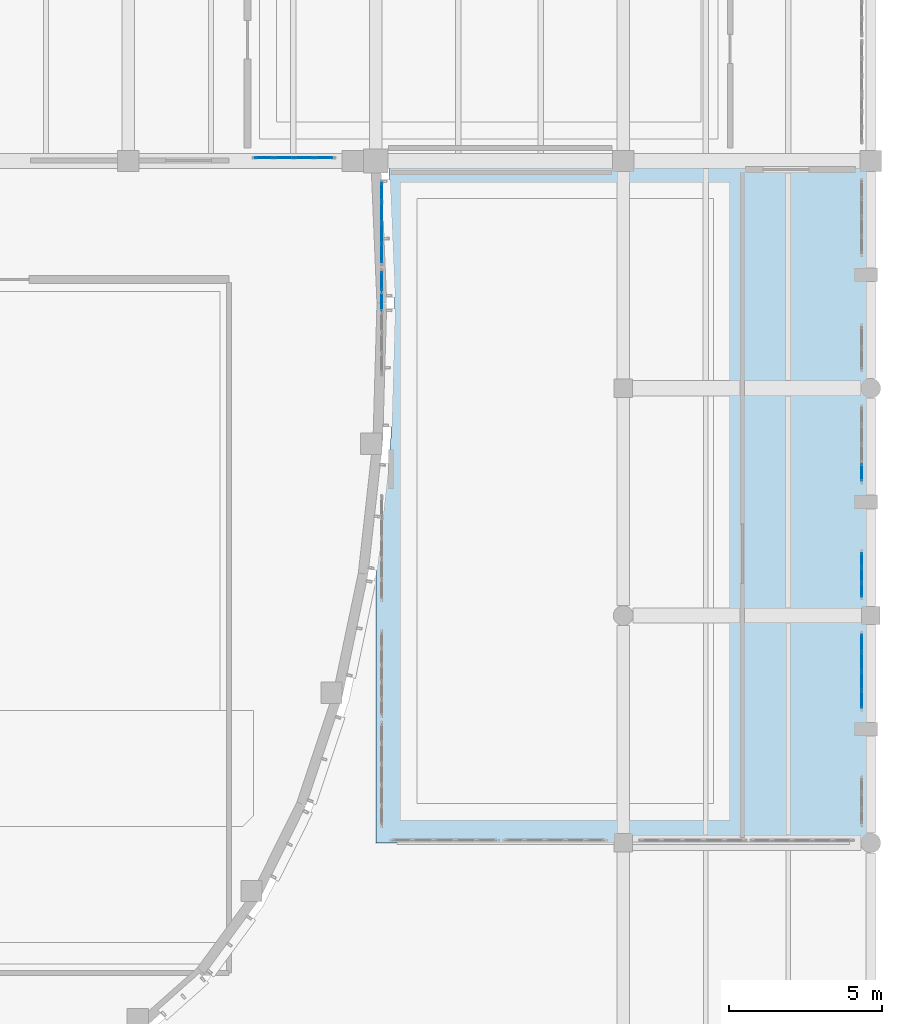
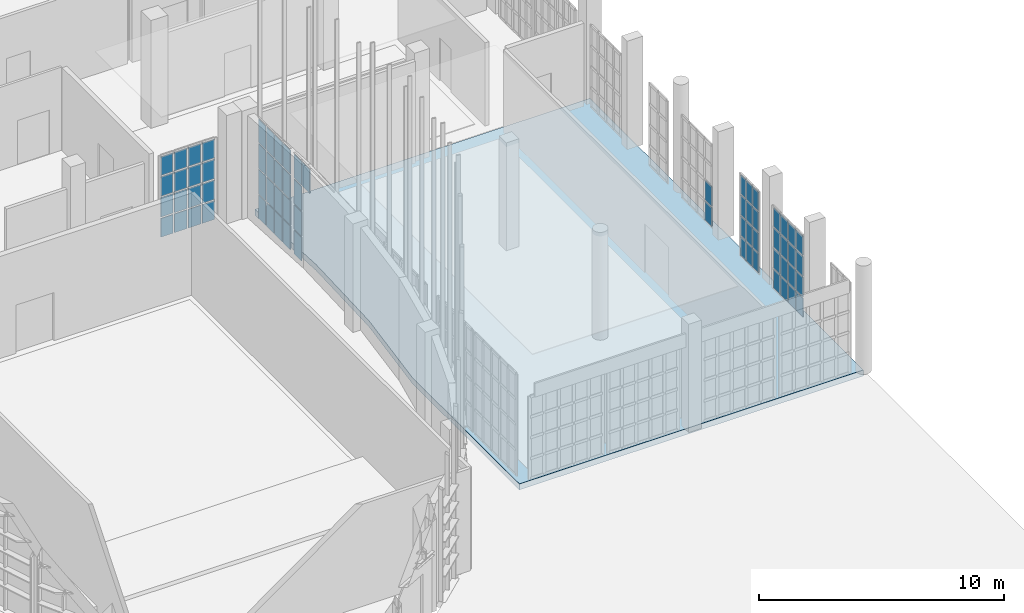
# One storey, part 342 of 372: 67 plates, 1 slab, 6 elements without a shape of their own.
"""IFC4 building model written with IfcOpenShell, lengths in metres."""

import ifcopenshell
import ifcopenshell.guid

model = None  # the IFC model being written
_history = None  # IfcOwnerHistory: only IFC2X3 demands one
_inside = {}  # id of a spatial element -> (the spatial element, [elements in it])
_under = {}  # id of a project, library or spatial element -> (it, [spatial elements below it])
_declared = {}  # id of a project -> (the project, [libraries it declares])
_typed = {}  # id of a type object -> (the type object, [elements of that type])
_made_of = {}  # id of a material, layer set ... -> (it, [elements and type objects made of it])


def new_model(schema):
    """Start an empty IFC model of exactly this schema.

    Asked for "IFC4X3", IfcOpenShell would pick the latest addendum, in which some entities
    have other attributes; the version numbers below select the first issue.
    IFC2X3 requires an IfcOwnerHistory on every rooted entity: one is made here for all.
    """
    global model, _history
    if schema == "IFC4X3":
        model = ifcopenshell.file(schema_version=(4, 3, 0, 0))
    else:
        model = ifcopenshell.file(schema=schema)
    _inside.clear()
    _under.clear()
    _declared.clear()
    _typed.clear()
    _made_of.clear()
    _history = None
    if model.schema == "IFC2X3":
        org = make("IfcOrganization", Name="unknown")
        user = make(
            "IfcPersonAndOrganization",
            ThePerson=make("IfcPerson", FamilyName="unknown"),
            TheOrganization=org,
        )
        app = make(
            "IfcApplication",
            ApplicationDeveloper=org,
            Version="unknown",
            ApplicationFullName="unknown",
            ApplicationIdentifier="unknown",
        )
        _history = make(
            "IfcOwnerHistory",
            OwningUser=user,
            OwningApplication=app,
            ChangeAction="ADDED",
            CreationDate=0,
        )
    return model


def make(cls, **values):
    """One entity of the class cls with the attributes given. An attribute that is None is left unset."""
    return model.create_entity(
        cls, **{name: value for name, value in values.items() if value is not None}
    )


def rooted(cls, **values):
    """An entity with a GlobalId (a new one), such as an element, a storey or a relation."""
    return make(cls, GlobalId=ifcopenshell.guid.new(), OwnerHistory=_history, **values)


def si_unit(unit_type, name, prefix=None):
    """IfcSIUnit, for example si_unit("LENGTHUNIT", "METRE", prefix="MILLI")."""
    return make("IfcSIUnit", UnitType=unit_type, Prefix=prefix, Name=name)


def assignment(units):
    """IfcUnitAssignment: the units of a project."""
    return None if units is None else make("IfcUnitAssignment", Units=units)


def point(xyz):
    """IfcCartesianPoint."""
    return None if xyz is None else make("IfcCartesianPoint", Coordinates=xyz)


def direction(xyz):
    """IfcDirection."""
    return None if xyz is None else make("IfcDirection", DirectionRatios=xyz)


def frame(location, z_axis=None, x_axis=None):
    """IfcAxis2Placement3D, a coordinate frame: its origin and axes. An axis left out is left unset."""
    return make(
        "IfcAxis2Placement3D",
        Location=point(location),
        Axis=direction(z_axis),
        RefDirection=direction(x_axis),
    )


def frame_2d(location, x_axis=None):
    """IfcAxis2Placement2D, a coordinate frame in the plane: its origin and x axis."""
    return make(
        "IfcAxis2Placement2D", Location=point(location), RefDirection=direction(x_axis)
    )


def origin():
    """The frame at (0, 0, 0) with its axes left unset."""
    return frame((0.0, 0.0, 0.0))


def origin_2d():
    """The frame at (0, 0) in the plane with its x axis left unset."""
    return frame_2d((0.0, 0.0))


def place(relative_to, where):
    """IfcLocalPlacement: puts the frame where relative to a parent placement (None: the world)."""
    return make(
        "IfcLocalPlacement", PlacementRelTo=relative_to, RelativePlacement=where
    )


def context(
    kind, dimensions, precision=None, world=None, true_north=None, identifier=None
):
    """IfcGeometricRepresentationContext, for example the 3D "Model" context."""
    return make(
        "IfcGeometricRepresentationContext",
        ContextIdentifier=identifier,
        ContextType=kind,
        CoordinateSpaceDimension=dimensions,
        Precision=precision,
        WorldCoordinateSystem=world,
        TrueNorth=true_north,
    )


def subcontext(parent, identifier, kind, view, scale=None):
    """IfcGeometricRepresentationSubContext, for example "Body" below "Model"."""
    return make(
        "IfcGeometricRepresentationSubContext",
        ContextIdentifier=identifier,
        ContextType=kind,
        ParentContext=parent,
        TargetScale=scale,
        TargetView=view,
    )


def project(units=None, contexts=None):
    """IfcProject with its units and contexts."""
    return rooted(
        "IfcProject",
        Name="project",
        RepresentationContexts=contexts,
        UnitsInContext=assignment(units),
    )


def spatial(cls, under=None, at=None, **own):
    """A site, building, storey or space (cls), placed at a placement, below another one or the project."""
    s = rooted(cls, ObjectPlacement=at, **own)
    if under is not None:
        _under.setdefault(under.id(), (under, []))[1].append(s)
    return s


def polyline(points):
    """IfcPolyline through the points."""
    return make("IfcPolyline", Points=[point(p) for p in points])


def profile(cls, at=None, kind="AREA", **sizes):
    """A parametric profile (cls). Its sizes go by their IFC names, for example OverallWidth=200.0."""
    return make(cls, ProfileType=kind, Position=at, **sizes)


def rectangle(**sizes):
    """IfcRectangleProfileDef."""
    return profile("IfcRectangleProfileDef", **sizes)


def outline(outer, holes=None, kind="AREA"):
    """IfcArbitraryClosedProfileDef: a profile drawn as a closed curve; with holes, ...WithVoids."""
    if holes is None:
        return make("IfcArbitraryClosedProfileDef", ProfileType=kind, OuterCurve=outer)
    return make(
        "IfcArbitraryProfileDefWithVoids",
        ProfileType=kind,
        OuterCurve=outer,
        InnerCurves=holes,
    )


def extrude(swept, where, along, depth):
    """IfcExtrudedAreaSolid: the profile swept, set in the frame where, extruded along a direction by depth."""
    return make(
        "IfcExtrudedAreaSolid",
        SweptArea=swept,
        Position=where,
        ExtrudedDirection=direction(along),
        Depth=depth,
    )


def shape(context_of_items, identifier, shape_type, items):
    """IfcShapeRepresentation: the items that make up one representation, for example the "Body"."""
    return make(
        "IfcShapeRepresentation",
        ContextOfItems=context_of_items,
        RepresentationIdentifier=identifier,
        RepresentationType=shape_type,
        Items=items,
    )


def material(Name=None, Category=None):
    """IfcMaterial."""
    return make("IfcMaterial", Name=Name, Category=Category)


def layer(
    of_material, thickness, ventilated=None, Name=None, Category=None, Priority=None
):
    """IfcMaterialLayer: one layer of a wall or slab, of a material (None: an air gap)."""
    return make(
        "IfcMaterialLayer",
        Material=of_material,
        LayerThickness=thickness,
        IsVentilated=ventilated,
        Name=Name,
        Category=Category,
        Priority=Priority,
    )


def layer_set(layers, Name=None):
    """IfcMaterialLayerSet."""
    return make("IfcMaterialLayerSet", MaterialLayers=layers, LayerSetName=Name)


def made_of(thing, what):
    """Note that an element or type object is made of a material, layer set ...; save() writes the relation."""
    if what is not None:
        _made_of.setdefault(what.id(), (what, []))[1].append(thing)
    return thing


def type_object(cls, material=None, **own):
    """A type object (cls), such as IfcWallType, which elements share."""
    return made_of(rooted(cls, **own), material)


def element(
    cls,
    number,
    at=None,
    inside=None,
    cuts=None,
    type_object=None,
    material=None,
    context=None,
    identifier="Body",
    shape_type=None,
    held_by="IfcProductDefinitionShape",
    body=None,
    shapes=None,
    **own,
):
    """One element of the class cls, such as IfcWall. Its Tag is "e" and its number.

    at: its placement. inside: the storey or other place that contains it. cuts: it is an
    opening in that element (IfcRelVoidsElement). A single representation is given by context,
    identifier, shape_type and body (its items); several are given by shapes. held_by: the class
    of the entity that holds the representations. save() writes the other relations.
    """
    e = rooted(cls, Tag="e%d" % number, ObjectPlacement=at, **own)
    if body is not None:
        shapes = [shape(context, identifier, shape_type, body)]
    if shapes is not None:
        e.Representation = make(held_by, Representations=shapes)
    if inside is not None:
        _inside.setdefault(inside.id(), (inside, []))[1].append(e)
    if cuts is not None:
        rooted(
            "IfcRelVoidsElement", RelatingBuildingElement=cuts, RelatedOpeningElement=e
        )
    if type_object is not None:
        _typed.setdefault(type_object.id(), (type_object, []))[1].append(e)
    return made_of(e, material)


def aggregate(whole, parts):
    """IfcRelAggregates: a whole, such as a stair, and the parts it consists of."""
    return rooted("IfcRelAggregates", RelatingObject=whole, RelatedObjects=parts)


def save(model, path):
    """Write the relations noted so far, then the file.

    IfcRelAggregates (storeys below a building ...), IfcRelContainedInSpatialStructure (elements
    in a storey), IfcRelDefinesByType, IfcRelAssociatesMaterial and IfcRelDeclares: one each for
    every whole, place, type object, material and project.
    """
    for whole, parts in _under.values():
        aggregate(whole, parts)
    for where, things in _inside.values():
        rooted(
            "IfcRelContainedInSpatialStructure",
            RelatedElements=things,
            RelatingStructure=where,
        )
    for kind, things in _typed.values():
        rooted("IfcRelDefinesByType", RelatedObjects=things, RelatingType=kind)
    for what, things in _made_of.values():
        rooted("IfcRelAssociatesMaterial", RelatedObjects=things, RelatingMaterial=what)
    for by, libraries in _declared.values():
        rooted("IfcRelDeclares", RelatingContext=by, RelatedDefinitions=libraries)
    model.write(path)


model = new_model("IFC4")

# Units and contexts
model_context = context("Model", 3, precision=1e-05, world=origin(), true_north=direction((0.0, 1.0)))
body_context = subcontext(model_context, "Body", "Model", "MODEL_VIEW")
ifc_project = project(units=[si_unit("LENGTHUNIT", "METRE"), si_unit("AREAUNIT", "SQUARE_METRE"), si_unit("VOLUMEUNIT", "CUBIC_METRE"), si_unit("PLANEANGLEUNIT", "RADIAN"), si_unit("MASSUNIT", "GRAM", prefix="KILO")], contexts=[model_context])

# Site, building, storey
site_placement = place(None, origin())
site = spatial("IfcSite", under=ifc_project, at=site_placement, CompositionType="ELEMENT")
building_placement = place(site_placement, origin())
building = spatial("IfcBuilding", under=site, at=building_placement, Name="Kaelora Sail Theatre", CompositionType="ELEMENT")
storey_placement = place(building_placement, origin())
storey = spatial("IfcBuildingStorey", under=building, at=storey_placement, Name="L00", CompositionType="ELEMENT", Elevation=0.0)

# Curtain wall, plates
ifc_material_1 = material(Name="Anodised aluminium and solar-control low-E IGU", Category="aluminium")
curtain_wall_type_1 = type_object("IfcCurtainWallType", Name="ARC-CW-CW-FOY2", PredefinedType="NOTDEFINED", material=ifc_material_1)
curtain_wall_1_placement = place(storey_placement, origin())
curtain_wall_1 = element("IfcCurtainWall", 1, at=curtain_wall_1_placement, inside=storey, type_object=curtain_wall_type_1, Name="Glazed Foyer/Conservatory Curtain Wall FE1-S-L00-01", PredefinedType="NOTDEFINED")
ifc_material_2 = material(Name="Solar-control laminated low-E glass", Category="glass")
ifc_layer_1 = layer(ifc_material_2, 0.031982421875)
ifc_layer_set_1 = layer_set([ifc_layer_1], Name="Solar-control laminated low-E glass")
plate_type = type_object("IfcPlateType", Name="ARC-CW-PNL", PredefinedType="CURTAIN_PANEL", material=ifc_layer_set_1)
plate_1_placement = place(storey_placement, frame((143.64501953125, 53.68994140625, 0.070068359375), z_axis=(0.0, 0.0, 1.0), x_axis=(1.0, 0.0, 0.0)))
plate_1 = element("IfcPlate", 2, at=plate_1_placement, type_object=plate_type, Name="CW-FOY2 panel 1.1", PredefinedType="CURTAIN_PANEL", context=body_context, shape_type="SweptSolid", body=[
    extrude(rectangle(XDim=0.570068359375, YDim=0.031982421875, at=origin_2d()), origin(), (0.0, 0.0, 1.0), 0.92919921875),
])
plate_2_placement = place(storey_placement, frame((143.64501953125, 53.68994140625, 1.069091796875), z_axis=(0.0, 0.0, 1.0), x_axis=(1.0, 0.0, 0.0)))
plate_2 = element("IfcPlate", 3, at=plate_2_placement, type_object=plate_type, Name="CW-FOY2 panel 1.2", PredefinedType="CURTAIN_PANEL", context=body_context, shape_type="SweptSolid", body=[
    extrude(rectangle(XDim=0.570068359375, YDim=0.031982421875, at=origin_2d()), origin(), (0.0, 0.0, 1.0), 0.96435546875),
])
plate_3_placement = place(storey_placement, frame((143.64501953125, 53.68994140625, 2.103515625), z_axis=(0.0, 0.0, 1.0), x_axis=(1.0, 0.0, 0.0)))
plate_3 = element("IfcPlate", 4, at=plate_3_placement, type_object=plate_type, Name="CW-FOY2 panel 1.3", PredefinedType="CURTAIN_PANEL", context=body_context, shape_type="SweptSolid", body=[
    extrude(rectangle(XDim=0.570068359375, YDim=0.031982421875, at=origin_2d()), origin(), (0.0, 0.0, 1.0), 0.964111328125),
])
plate_4_placement = place(storey_placement, frame((143.64501953125, 53.68994140625, 3.1376953125), z_axis=(0.0, 0.0, 1.0), x_axis=(1.0, 0.0, 0.0)))
plate_4 = element("IfcPlate", 5, at=plate_4_placement, type_object=plate_type, Name="CW-FOY2 panel 1.4", PredefinedType="CURTAIN_PANEL", context=body_context, shape_type="SweptSolid", body=[
    extrude(rectangle(XDim=0.570068359375, YDim=0.031982421875, at=origin_2d()), origin(), (0.0, 0.0, 1.0), 0.92919921875),
])
plate_5_placement = place(storey_placement, frame((144.2900390625, 53.68994140625, 0.070068359375), z_axis=(0.0, 0.0, 1.0), x_axis=(1.0, 0.0, 0.0)))
plate_5 = element("IfcPlate", 6, at=plate_5_placement, type_object=plate_type, Name="CW-FOY2 panel 2.1", PredefinedType="CURTAIN_PANEL", context=body_context, shape_type="SweptSolid", body=[
    extrude(rectangle(XDim=0.60009765625, YDim=0.031982421875, at=origin_2d()), origin(), (0.0, 0.0, 1.0), 0.92919921875),
])
plate_6_placement = place(storey_placement, frame((144.2900390625, 53.68994140625, 1.069091796875), z_axis=(0.0, 0.0, 1.0), x_axis=(1.0, 0.0, 0.0)))
plate_6 = element("IfcPlate", 7, at=plate_6_placement, type_object=plate_type, Name="CW-FOY2 panel 2.2", PredefinedType="CURTAIN_PANEL", context=body_context, shape_type="SweptSolid", body=[
    extrude(rectangle(XDim=0.60009765625, YDim=0.031982421875, at=origin_2d()), origin(), (0.0, 0.0, 1.0), 0.96435546875),
])
plate_7_placement = place(storey_placement, frame((144.2900390625, 53.68994140625, 2.103515625), z_axis=(0.0, 0.0, 1.0), x_axis=(1.0, 0.0, 0.0)))
plate_7 = element("IfcPlate", 8, at=plate_7_placement, type_object=plate_type, Name="CW-FOY2 panel 2.3", PredefinedType="CURTAIN_PANEL", context=body_context, shape_type="SweptSolid", body=[
    extrude(rectangle(XDim=0.60009765625, YDim=0.031982421875, at=origin_2d()), origin(), (0.0, 0.0, 1.0), 0.964111328125),
])
plate_8_placement = place(storey_placement, frame((144.2900390625, 53.68994140625, 3.1376953125), z_axis=(0.0, 0.0, 1.0), x_axis=(1.0, 0.0, 0.0)))
plate_8 = element("IfcPlate", 9, at=plate_8_placement, type_object=plate_type, Name="CW-FOY2 panel 2.4", PredefinedType="CURTAIN_PANEL", context=body_context, shape_type="SweptSolid", body=[
    extrude(rectangle(XDim=0.60009765625, YDim=0.031982421875, at=origin_2d()), origin(), (0.0, 0.0, 1.0), 0.92919921875),
])
plate_9_placement = place(storey_placement, frame((144.949951171875, 53.68994140625, 0.070068359375), z_axis=(0.0, 0.0, 1.0), x_axis=(1.0, 0.0, 0.0)))
plate_9 = element("IfcPlate", 10, at=plate_9_placement, type_object=plate_type, Name="CW-FOY2 panel 3.1", PredefinedType="CURTAIN_PANEL", context=body_context, shape_type="SweptSolid", body=[
    extrude(rectangle(XDim=0.60009765625, YDim=0.031982421875, at=origin_2d()), origin(), (0.0, 0.0, 1.0), 0.92919921875),
])
plate_10_placement = place(storey_placement, frame((144.949951171875, 53.68994140625, 1.069091796875), z_axis=(0.0, 0.0, 1.0), x_axis=(1.0, 0.0, 0.0)))
plate_10 = element("IfcPlate", 11, at=plate_10_placement, type_object=plate_type, Name="CW-FOY2 panel 3.2", PredefinedType="CURTAIN_PANEL", context=body_context, shape_type="SweptSolid", body=[
    extrude(rectangle(XDim=0.60009765625, YDim=0.031982421875, at=origin_2d()), origin(), (0.0, 0.0, 1.0), 0.96435546875),
])
plate_11_placement = place(storey_placement, frame((144.949951171875, 53.68994140625, 2.103515625), z_axis=(0.0, 0.0, 1.0), x_axis=(1.0, 0.0, 0.0)))
plate_11 = element("IfcPlate", 12, at=plate_11_placement, type_object=plate_type, Name="CW-FOY2 panel 3.3", PredefinedType="CURTAIN_PANEL", context=body_context, shape_type="SweptSolid", body=[
    extrude(rectangle(XDim=0.60009765625, YDim=0.031982421875, at=origin_2d()), origin(), (0.0, 0.0, 1.0), 0.964111328125),
])
plate_12_placement = place(storey_placement, frame((144.949951171875, 53.68994140625, 3.1376953125), z_axis=(0.0, 0.0, 1.0), x_axis=(1.0, 0.0, 0.0)))
plate_12 = element("IfcPlate", 13, at=plate_12_placement, type_object=plate_type, Name="CW-FOY2 panel 3.4", PredefinedType="CURTAIN_PANEL", context=body_context, shape_type="SweptSolid", body=[
    extrude(rectangle(XDim=0.60009765625, YDim=0.031982421875, at=origin_2d()), origin(), (0.0, 0.0, 1.0), 0.92919921875),
])
plate_13_placement = place(storey_placement, frame((145.594970703125, 53.68994140625, 0.070068359375), z_axis=(0.0, 0.0, 1.0), x_axis=(1.0, 0.0, 0.0)))
plate_13 = element("IfcPlate", 14, at=plate_13_placement, type_object=plate_type, Name="CW-FOY2 panel 4.1", PredefinedType="CURTAIN_PANEL", context=body_context, shape_type="SweptSolid", body=[
    extrude(rectangle(XDim=0.570068359375, YDim=0.031982421875, at=origin_2d()), origin(), (0.0, 0.0, 1.0), 0.92919921875),
])
plate_14_placement = place(storey_placement, frame((145.594970703125, 53.68994140625, 1.069091796875), z_axis=(0.0, 0.0, 1.0), x_axis=(1.0, 0.0, 0.0)))
plate_14 = element("IfcPlate", 15, at=plate_14_placement, type_object=plate_type, Name="CW-FOY2 panel 4.2", PredefinedType="CURTAIN_PANEL", context=body_context, shape_type="SweptSolid", body=[
    extrude(rectangle(XDim=0.570068359375, YDim=0.031982421875, at=origin_2d()), origin(), (0.0, 0.0, 1.0), 0.96435546875),
])
plate_15_placement = place(storey_placement, frame((145.594970703125, 53.68994140625, 2.103515625), z_axis=(0.0, 0.0, 1.0), x_axis=(1.0, 0.0, 0.0)))
plate_15 = element("IfcPlate", 16, at=plate_15_placement, type_object=plate_type, Name="CW-FOY2 panel 4.3", PredefinedType="CURTAIN_PANEL", context=body_context, shape_type="SweptSolid", body=[
    extrude(rectangle(XDim=0.570068359375, YDim=0.031982421875, at=origin_2d()), origin(), (0.0, 0.0, 1.0), 0.964111328125),
])
plate_16_placement = place(storey_placement, frame((145.594970703125, 53.68994140625, 3.1376953125), z_axis=(0.0, 0.0, 1.0), x_axis=(1.0, 0.0, 0.0)))
plate_16 = element("IfcPlate", 17, at=plate_16_placement, type_object=plate_type, Name="CW-FOY2 panel 4.4", PredefinedType="CURTAIN_PANEL", context=body_context, shape_type="SweptSolid", body=[
    extrude(rectangle(XDim=0.570068359375, YDim=0.031982421875, at=origin_2d()), origin(), (0.0, 0.0, 1.0), 0.92919921875),
])
aggregate(curtain_wall_1, [plate_1, plate_2, plate_3, plate_4, plate_5, plate_6, plate_7, plate_8, plate_9, plate_10, plate_11, plate_12, plate_13, plate_14, plate_15, plate_16])

curtain_wall_2_placement = place(storey_placement, origin())
curtain_wall_2 = element("IfcCurtainWall", 18, at=curtain_wall_2_placement, inside=storey, type_object=curtain_wall_type_1, Name="Glazed Colonnade/Courtyard Curtain Wall COLE-W-L00-05", PredefinedType="NOTDEFINED")
plate_17_placement = place(storey_placement, frame((147.489990234375, 48.97998046875, 3.8486328125), z_axis=(0.0, 0.0, 1.0), x_axis=(0.0, 1.0, 0.0)))
plate_17 = element("IfcPlate", 19, at=plate_17_placement, type_object=plate_type, Name="CW-FOY2 panel 4.4", PredefinedType="CURTAIN_PANEL", context=body_context, shape_type="SweptSolid", body=[
    extrude(rectangle(XDim=0.6201171875, YDim=0.031982421875, at=origin_2d()), origin(), (0.0, 0.0, 1.0), 1.166259765625),
])
plate_18_placement = place(storey_placement, frame((147.489990234375, 49.64501953125, 0.06982421875), z_axis=(0.0, 0.0, 1.0), x_axis=(0.0, 1.0, 0.0)))
plate_18 = element("IfcPlate", 20, at=plate_18_placement, type_object=plate_type, Name="CW-FOY2 panel 5.1", PredefinedType="CURTAIN_PANEL", context=body_context, shape_type="SweptSolid", body=[
    extrude(rectangle(XDim=0.590087890625, YDim=0.031982421875, at=origin_2d()), origin(), (0.0, 0.0, 1.0), 1.166259765625),
])
plate_19_placement = place(storey_placement, frame((147.489990234375, 49.64501953125, 1.306396484375), z_axis=(0.0, 0.0, 1.0), x_axis=(0.0, 1.0, 0.0)))
plate_19 = element("IfcPlate", 21, at=plate_19_placement, type_object=plate_type, Name="CW-FOY2 panel 5.2", PredefinedType="CURTAIN_PANEL", context=body_context, shape_type="SweptSolid", body=[
    extrude(rectangle(XDim=0.590087890625, YDim=0.031982421875, at=origin_2d()), origin(), (0.0, 0.0, 1.0), 1.201171875),
])
plate_20_placement = place(storey_placement, frame((147.489990234375, 49.64501953125, 2.57763671875), z_axis=(0.0, 0.0, 1.0), x_axis=(0.0, 1.0, 0.0)))
plate_20 = element("IfcPlate", 22, at=plate_20_placement, type_object=plate_type, Name="CW-FOY2 panel 5.3", PredefinedType="CURTAIN_PANEL", context=body_context, shape_type="SweptSolid", body=[
    extrude(rectangle(XDim=0.590087890625, YDim=0.031982421875, at=origin_2d()), origin(), (0.0, 0.0, 1.0), 1.201416015625),
])
plate_21_placement = place(storey_placement, frame((147.489990234375, 49.64501953125, 3.8486328125), z_axis=(0.0, 0.0, 1.0), x_axis=(0.0, 1.0, 0.0)))
plate_21 = element("IfcPlate", 23, at=plate_21_placement, type_object=plate_type, Name="CW-FOY2 panel 5.4", PredefinedType="CURTAIN_PANEL", context=body_context, shape_type="SweptSolid", body=[
    extrude(rectangle(XDim=0.590087890625, YDim=0.031982421875, at=origin_2d()), origin(), (0.0, 0.0, 1.0), 1.166259765625),
])
aggregate(curtain_wall_2, [plate_17, plate_18, plate_19, plate_20, plate_21])

curtain_wall_3_placement = place(storey_placement, origin())
curtain_wall_3 = element("IfcCurtainWall", 24, at=curtain_wall_3_placement, inside=storey, type_object=curtain_wall_type_1, Name="Glazed Colonnade/Courtyard Curtain Wall COLE-W-L00-06", PredefinedType="NOTDEFINED")
plate_22_placement = place(storey_placement, frame((147.489990234375, 50.554931640625, 0.06982421875), z_axis=(0.0, 0.0, 1.0), x_axis=(0.0, 1.0, 0.0)))
plate_22 = element("IfcPlate", 25, at=plate_22_placement, type_object=plate_type, Name="CW-FOY2 panel 1.1", PredefinedType="CURTAIN_PANEL", context=body_context, shape_type="SweptSolid", body=[
    extrude(rectangle(XDim=0.590087890625, YDim=0.031982421875, at=origin_2d()), origin(), (0.0, 0.0, 1.0), 1.166259765625),
])
plate_23_placement = place(storey_placement, frame((147.489990234375, 50.554931640625, 1.306396484375), z_axis=(0.0, 0.0, 1.0), x_axis=(0.0, 1.0, 0.0)))
plate_23 = element("IfcPlate", 26, at=plate_23_placement, type_object=plate_type, Name="CW-FOY2 panel 1.2", PredefinedType="CURTAIN_PANEL", context=body_context, shape_type="SweptSolid", body=[
    extrude(rectangle(XDim=0.590087890625, YDim=0.031982421875, at=origin_2d()), origin(), (0.0, 0.0, 1.0), 1.201171875),
])
plate_24_placement = place(storey_placement, frame((147.489990234375, 50.554931640625, 2.57763671875), z_axis=(0.0, 0.0, 1.0), x_axis=(0.0, 1.0, 0.0)))
plate_24 = element("IfcPlate", 27, at=plate_24_placement, type_object=plate_type, Name="CW-FOY2 panel 1.3", PredefinedType="CURTAIN_PANEL", context=body_context, shape_type="SweptSolid", body=[
    extrude(rectangle(XDim=0.590087890625, YDim=0.031982421875, at=origin_2d()), origin(), (0.0, 0.0, 1.0), 1.201416015625),
])
plate_25_placement = place(storey_placement, frame((147.489990234375, 50.554931640625, 3.8486328125), z_axis=(0.0, 0.0, 1.0), x_axis=(0.0, 1.0, 0.0)))
plate_25 = element("IfcPlate", 28, at=plate_25_placement, type_object=plate_type, Name="CW-FOY2 panel 1.4", PredefinedType="CURTAIN_PANEL", context=body_context, shape_type="SweptSolid", body=[
    extrude(rectangle(XDim=0.590087890625, YDim=0.031982421875, at=origin_2d()), origin(), (0.0, 0.0, 1.0), 1.166259765625),
])
plate_26_placement = place(storey_placement, frame((147.489990234375, 51.219970703125, 0.06982421875), z_axis=(0.0, 0.0, 1.0), x_axis=(0.0, 1.0, 0.0)))
plate_26 = element("IfcPlate", 29, at=plate_26_placement, type_object=plate_type, Name="CW-FOY2 panel 2.1", PredefinedType="CURTAIN_PANEL", context=body_context, shape_type="SweptSolid", body=[
    extrude(rectangle(XDim=0.6201171875, YDim=0.031982421875, at=origin_2d()), origin(), (0.0, 0.0, 1.0), 1.166259765625),
])
plate_27_placement = place(storey_placement, frame((147.489990234375, 51.219970703125, 1.306396484375), z_axis=(0.0, 0.0, 1.0), x_axis=(0.0, 1.0, 0.0)))
plate_27 = element("IfcPlate", 30, at=plate_27_placement, type_object=plate_type, Name="CW-FOY2 panel 2.2", PredefinedType="CURTAIN_PANEL", context=body_context, shape_type="SweptSolid", body=[
    extrude(rectangle(XDim=0.6201171875, YDim=0.031982421875, at=origin_2d()), origin(), (0.0, 0.0, 1.0), 1.201171875),
])
plate_28_placement = place(storey_placement, frame((147.489990234375, 51.219970703125, 2.57763671875), z_axis=(0.0, 0.0, 1.0), x_axis=(0.0, 1.0, 0.0)))
plate_28 = element("IfcPlate", 31, at=plate_28_placement, type_object=plate_type, Name="CW-FOY2 panel 2.3", PredefinedType="CURTAIN_PANEL", context=body_context, shape_type="SweptSolid", body=[
    extrude(rectangle(XDim=0.6201171875, YDim=0.031982421875, at=origin_2d()), origin(), (0.0, 0.0, 1.0), 1.201416015625),
])
plate_29_placement = place(storey_placement, frame((147.489990234375, 51.219970703125, 3.8486328125), z_axis=(0.0, 0.0, 1.0), x_axis=(0.0, 1.0, 0.0)))
plate_29 = element("IfcPlate", 32, at=plate_29_placement, type_object=plate_type, Name="CW-FOY2 panel 2.4", PredefinedType="CURTAIN_PANEL", context=body_context, shape_type="SweptSolid", body=[
    extrude(rectangle(XDim=0.6201171875, YDim=0.031982421875, at=origin_2d()), origin(), (0.0, 0.0, 1.0), 1.166259765625),
])
plate_30_placement = place(storey_placement, frame((147.489990234375, 51.89990234375, 0.06982421875), z_axis=(0.0, 0.0, 1.0), x_axis=(0.0, 1.0, 0.0)))
plate_30 = element("IfcPlate", 33, at=plate_30_placement, type_object=plate_type, Name="CW-FOY2 panel 3.1", PredefinedType="CURTAIN_PANEL", context=body_context, shape_type="SweptSolid", body=[
    extrude(rectangle(XDim=0.6201171875, YDim=0.031982421875, at=origin_2d()), origin(), (0.0, 0.0, 1.0), 1.166259765625),
])
plate_31_placement = place(storey_placement, frame((147.489990234375, 51.89990234375, 1.306396484375), z_axis=(0.0, 0.0, 1.0), x_axis=(0.0, 1.0, 0.0)))
plate_31 = element("IfcPlate", 34, at=plate_31_placement, type_object=plate_type, Name="CW-FOY2 panel 3.2", PredefinedType="CURTAIN_PANEL", context=body_context, shape_type="SweptSolid", body=[
    extrude(rectangle(XDim=0.6201171875, YDim=0.031982421875, at=origin_2d()), origin(), (0.0, 0.0, 1.0), 1.201171875),
])
plate_32_placement = place(storey_placement, frame((147.489990234375, 51.89990234375, 2.57763671875), z_axis=(0.0, 0.0, 1.0), x_axis=(0.0, 1.0, 0.0)))
plate_32 = element("IfcPlate", 35, at=plate_32_placement, type_object=plate_type, Name="CW-FOY2 panel 3.3", PredefinedType="CURTAIN_PANEL", context=body_context, shape_type="SweptSolid", body=[
    extrude(rectangle(XDim=0.6201171875, YDim=0.031982421875, at=origin_2d()), origin(), (0.0, 0.0, 1.0), 1.201416015625),
])
plate_33_placement = place(storey_placement, frame((147.489990234375, 51.89990234375, 3.8486328125), z_axis=(0.0, 0.0, 1.0), x_axis=(0.0, 1.0, 0.0)))
plate_33 = element("IfcPlate", 36, at=plate_33_placement, type_object=plate_type, Name="CW-FOY2 panel 3.4", PredefinedType="CURTAIN_PANEL", context=body_context, shape_type="SweptSolid", body=[
    extrude(rectangle(XDim=0.6201171875, YDim=0.031982421875, at=origin_2d()), origin(), (0.0, 0.0, 1.0), 1.166259765625),
])
plate_34_placement = place(storey_placement, frame((147.489990234375, 52.56494140625, 0.06982421875), z_axis=(0.0, 0.0, 1.0), x_axis=(0.0, 1.0, 0.0)))
plate_34 = element("IfcPlate", 37, at=plate_34_placement, type_object=plate_type, Name="CW-FOY2 panel 4.1", PredefinedType="CURTAIN_PANEL", context=body_context, shape_type="SweptSolid", body=[
    extrude(rectangle(XDim=0.590087890625, YDim=0.031982421875, at=origin_2d()), origin(), (0.0, 0.0, 1.0), 1.166259765625),
])
plate_35_placement = place(storey_placement, frame((147.489990234375, 52.56494140625, 1.306396484375), z_axis=(0.0, 0.0, 1.0), x_axis=(0.0, 1.0, 0.0)))
plate_35 = element("IfcPlate", 38, at=plate_35_placement, type_object=plate_type, Name="CW-FOY2 panel 4.2", PredefinedType="CURTAIN_PANEL", context=body_context, shape_type="SweptSolid", body=[
    extrude(rectangle(XDim=0.590087890625, YDim=0.031982421875, at=origin_2d()), origin(), (0.0, 0.0, 1.0), 1.201171875),
])
plate_36_placement = place(storey_placement, frame((147.489990234375, 52.56494140625, 2.57763671875), z_axis=(0.0, 0.0, 1.0), x_axis=(0.0, 1.0, 0.0)))
plate_36 = element("IfcPlate", 39, at=plate_36_placement, type_object=plate_type, Name="CW-FOY2 panel 4.3", PredefinedType="CURTAIN_PANEL", context=body_context, shape_type="SweptSolid", body=[
    extrude(rectangle(XDim=0.590087890625, YDim=0.031982421875, at=origin_2d()), origin(), (0.0, 0.0, 1.0), 1.201416015625),
])
plate_37_placement = place(storey_placement, frame((147.489990234375, 52.56494140625, 3.8486328125), z_axis=(0.0, 0.0, 1.0), x_axis=(0.0, 1.0, 0.0)))
plate_37 = element("IfcPlate", 40, at=plate_37_placement, type_object=plate_type, Name="CW-FOY2 panel 4.4", PredefinedType="CURTAIN_PANEL", context=body_context, shape_type="SweptSolid", body=[
    extrude(rectangle(XDim=0.590087890625, YDim=0.031982421875, at=origin_2d()), origin(), (0.0, 0.0, 1.0), 1.166259765625),
])
aggregate(curtain_wall_3, [plate_22, plate_23, plate_24, plate_25, plate_26, plate_27, plate_28, plate_29, plate_30, plate_31, plate_32, plate_33, plate_34, plate_35, plate_36, plate_37])

ifc_material_3 = material(Name="Anodised aluminium and solar-control low-E IGU", Category="aluminium")
curtain_wall_type_2 = type_object("IfcCurtainWallType", Name="ARC-CW-CW-FOY1", PredefinedType="NOTDEFINED", material=ifc_material_3)
curtain_wall_4_placement = place(storey_placement, origin())
curtain_wall_4 = element("IfcCurtainWall", 41, at=curtain_wall_4_placement, inside=storey, type_object=curtain_wall_type_2, Name="Glazed Colonnade/Courtyard Curtain Wall COLE-E-L00-03", PredefinedType="NOTDEFINED")
plate_38_placement = place(storey_placement, frame((163.2099609375, 35.945556640625, 0.070068359375), z_axis=(0.0, 0.0, 1.0), x_axis=(0.0, 1.0, 0.0)))
plate_38 = element("IfcPlate", 42, at=plate_38_placement, type_object=plate_type, Name="CW-FOY1 panel 1.1", PredefinedType="CURTAIN_PANEL", context=body_context, shape_type="SweptSolid", body=[
    extrude(rectangle(XDim=0.541259765625, YDim=0.031982421875, at=origin_2d()), origin(), (0.0, 0.0, 1.0), 0.92919921875),
])
plate_39_placement = place(storey_placement, frame((163.2099609375, 35.945556640625, 1.069091796875), z_axis=(0.0, 0.0, 1.0), x_axis=(0.0, 1.0, 0.0)))
plate_39 = element("IfcPlate", 43, at=plate_39_placement, type_object=plate_type, Name="CW-FOY1 panel 1.2", PredefinedType="CURTAIN_PANEL", context=body_context, shape_type="SweptSolid", body=[
    extrude(rectangle(XDim=0.541259765625, YDim=0.031982421875, at=origin_2d()), origin(), (0.0, 0.0, 1.0), 0.96435546875),
])
plate_40_placement = place(storey_placement, frame((163.2099609375, 35.945556640625, 2.103515625), z_axis=(0.0, 0.0, 1.0), x_axis=(0.0, 1.0, 0.0)))
plate_40 = element("IfcPlate", 44, at=plate_40_placement, type_object=plate_type, Name="CW-FOY1 panel 1.3", PredefinedType="CURTAIN_PANEL", context=body_context, shape_type="SweptSolid", body=[
    extrude(rectangle(XDim=0.541259765625, YDim=0.031982421875, at=origin_2d()), origin(), (0.0, 0.0, 1.0), 0.964111328125),
])
plate_41_placement = place(storey_placement, frame((163.2099609375, 35.945556640625, 3.1376953125), z_axis=(0.0, 0.0, 1.0), x_axis=(0.0, 1.0, 0.0)))
plate_41 = element("IfcPlate", 45, at=plate_41_placement, type_object=plate_type, Name="CW-FOY1 panel 1.4", PredefinedType="CURTAIN_PANEL", context=body_context, shape_type="SweptSolid", body=[
    extrude(rectangle(XDim=0.541259765625, YDim=0.031982421875, at=origin_2d()), origin(), (0.0, 0.0, 1.0), 0.92919921875),
])
plate_42_placement = place(storey_placement, frame((163.2099609375, 36.561767578125, 0.070068359375), z_axis=(0.0, 0.0, 1.0), x_axis=(0.0, 1.0, 0.0)))
plate_42 = element("IfcPlate", 46, at=plate_42_placement, type_object=plate_type, Name="CW-FOY1 panel 2.1", PredefinedType="CURTAIN_PANEL", context=body_context, shape_type="SweptSolid", body=[
    extrude(rectangle(XDim=0.5712890625, YDim=0.031982421875, at=origin_2d()), origin(), (0.0, 0.0, 1.0), 0.92919921875),
])
plate_43_placement = place(storey_placement, frame((163.2099609375, 36.561767578125, 1.069091796875), z_axis=(0.0, 0.0, 1.0), x_axis=(0.0, 1.0, 0.0)))
plate_43 = element("IfcPlate", 47, at=plate_43_placement, type_object=plate_type, Name="CW-FOY1 panel 2.2", PredefinedType="CURTAIN_PANEL", context=body_context, shape_type="SweptSolid", body=[
    extrude(rectangle(XDim=0.5712890625, YDim=0.031982421875, at=origin_2d()), origin(), (0.0, 0.0, 1.0), 0.96435546875),
])
plate_44_placement = place(storey_placement, frame((163.2099609375, 36.561767578125, 2.103515625), z_axis=(0.0, 0.0, 1.0), x_axis=(0.0, 1.0, 0.0)))
plate_44 = element("IfcPlate", 48, at=plate_44_placement, type_object=plate_type, Name="CW-FOY1 panel 2.3", PredefinedType="CURTAIN_PANEL", context=body_context, shape_type="SweptSolid", body=[
    extrude(rectangle(XDim=0.5712890625, YDim=0.031982421875, at=origin_2d()), origin(), (0.0, 0.0, 1.0), 0.964111328125),
])
plate_45_placement = place(storey_placement, frame((163.2099609375, 36.561767578125, 3.1376953125), z_axis=(0.0, 0.0, 1.0), x_axis=(0.0, 1.0, 0.0)))
plate_45 = element("IfcPlate", 49, at=plate_45_placement, type_object=plate_type, Name="CW-FOY1 panel 2.4", PredefinedType="CURTAIN_PANEL", context=body_context, shape_type="SweptSolid", body=[
    extrude(rectangle(XDim=0.5712890625, YDim=0.031982421875, at=origin_2d()), origin(), (0.0, 0.0, 1.0), 0.92919921875),
])
plate_46_placement = place(storey_placement, frame((163.2099609375, 37.193115234375, 0.070068359375), z_axis=(0.0, 0.0, 1.0), x_axis=(0.0, 1.0, 0.0)))
plate_46 = element("IfcPlate", 50, at=plate_46_placement, type_object=plate_type, Name="CW-FOY1 panel 3.1", PredefinedType="CURTAIN_PANEL", context=body_context, shape_type="SweptSolid", body=[
    extrude(rectangle(XDim=0.5712890625, YDim=0.031982421875, at=origin_2d()), origin(), (0.0, 0.0, 1.0), 0.92919921875),
])
plate_47_placement = place(storey_placement, frame((163.2099609375, 37.193115234375, 1.069091796875), z_axis=(0.0, 0.0, 1.0), x_axis=(0.0, 1.0, 0.0)))
plate_47 = element("IfcPlate", 51, at=plate_47_placement, type_object=plate_type, Name="CW-FOY1 panel 3.2", PredefinedType="CURTAIN_PANEL", context=body_context, shape_type="SweptSolid", body=[
    extrude(rectangle(XDim=0.5712890625, YDim=0.031982421875, at=origin_2d()), origin(), (0.0, 0.0, 1.0), 0.96435546875),
])
plate_48_placement = place(storey_placement, frame((163.2099609375, 37.193115234375, 2.103515625), z_axis=(0.0, 0.0, 1.0), x_axis=(0.0, 1.0, 0.0)))
plate_48 = element("IfcPlate", 52, at=plate_48_placement, type_object=plate_type, Name="CW-FOY1 panel 3.3", PredefinedType="CURTAIN_PANEL", context=body_context, shape_type="SweptSolid", body=[
    extrude(rectangle(XDim=0.5712890625, YDim=0.031982421875, at=origin_2d()), origin(), (0.0, 0.0, 1.0), 0.964111328125),
])
plate_49_placement = place(storey_placement, frame((163.2099609375, 37.193115234375, 3.1376953125), z_axis=(0.0, 0.0, 1.0), x_axis=(0.0, 1.0, 0.0)))
plate_49 = element("IfcPlate", 53, at=plate_49_placement, type_object=plate_type, Name="CW-FOY1 panel 3.4", PredefinedType="CURTAIN_PANEL", context=body_context, shape_type="SweptSolid", body=[
    extrude(rectangle(XDim=0.5712890625, YDim=0.031982421875, at=origin_2d()), origin(), (0.0, 0.0, 1.0), 0.92919921875),
])
plate_50_placement = place(storey_placement, frame((163.2099609375, 37.809326171875, 0.070068359375), z_axis=(0.0, 0.0, 1.0), x_axis=(0.0, 1.0, 0.0)))
plate_50 = element("IfcPlate", 54, at=plate_50_placement, type_object=plate_type, Name="CW-FOY1 panel 4.1", PredefinedType="CURTAIN_PANEL", context=body_context, shape_type="SweptSolid", body=[
    extrude(rectangle(XDim=0.541259765625, YDim=0.031982421875, at=origin_2d()), origin(), (0.0, 0.0, 1.0), 0.92919921875),
])
plate_51_placement = place(storey_placement, frame((163.2099609375, 37.809326171875, 1.069091796875), z_axis=(0.0, 0.0, 1.0), x_axis=(0.0, 1.0, 0.0)))
plate_51 = element("IfcPlate", 55, at=plate_51_placement, type_object=plate_type, Name="CW-FOY1 panel 4.2", PredefinedType="CURTAIN_PANEL", context=body_context, shape_type="SweptSolid", body=[
    extrude(rectangle(XDim=0.541259765625, YDim=0.031982421875, at=origin_2d()), origin(), (0.0, 0.0, 1.0), 0.96435546875),
])
plate_52_placement = place(storey_placement, frame((163.2099609375, 37.809326171875, 2.103515625), z_axis=(0.0, 0.0, 1.0), x_axis=(0.0, 1.0, 0.0)))
plate_52 = element("IfcPlate", 56, at=plate_52_placement, type_object=plate_type, Name="CW-FOY1 panel 4.3", PredefinedType="CURTAIN_PANEL", context=body_context, shape_type="SweptSolid", body=[
    extrude(rectangle(XDim=0.541259765625, YDim=0.031982421875, at=origin_2d()), origin(), (0.0, 0.0, 1.0), 0.964111328125),
])
plate_53_placement = place(storey_placement, frame((163.2099609375, 37.809326171875, 3.1376953125), z_axis=(0.0, 0.0, 1.0), x_axis=(0.0, 1.0, 0.0)))
plate_53 = element("IfcPlate", 57, at=plate_53_placement, type_object=plate_type, Name="CW-FOY1 panel 4.4", PredefinedType="CURTAIN_PANEL", context=body_context, shape_type="SweptSolid", body=[
    extrude(rectangle(XDim=0.541259765625, YDim=0.031982421875, at=origin_2d()), origin(), (0.0, 0.0, 1.0), 0.92919921875),
])
aggregate(curtain_wall_4, [plate_38, plate_39, plate_40, plate_41, plate_42, plate_43, plate_44, plate_45, plate_46, plate_47, plate_48, plate_49, plate_50, plate_51, plate_52, plate_53])

curtain_wall_5_placement = place(storey_placement, origin())
curtain_wall_5 = element("IfcCurtainWall", 58, at=curtain_wall_5_placement, inside=storey, type_object=curtain_wall_type_2, Name="Glazed Colonnade/Courtyard Curtain Wall COLE-E-L00-04", PredefinedType="NOTDEFINED")
plate_54_placement = place(storey_placement, frame((163.2099609375, 39.53173828125, 0.070068359375), z_axis=(0.0, 0.0, 1.0), x_axis=(0.0, 1.0, 0.0)))
plate_54 = element("IfcPlate", 59, at=plate_54_placement, type_object=plate_type, Name="CW-FOY1 panel 1.1", PredefinedType="CURTAIN_PANEL", context=body_context, shape_type="SweptSolid", body=[
    extrude(rectangle(XDim=0.42333984375, YDim=0.031982421875, at=origin_2d()), origin(), (0.0, 0.0, 1.0), 0.92919921875),
])
plate_55_placement = place(storey_placement, frame((163.2099609375, 39.53173828125, 1.069091796875), z_axis=(0.0, 0.0, 1.0), x_axis=(0.0, 1.0, 0.0)))
plate_55 = element("IfcPlate", 60, at=plate_55_placement, type_object=plate_type, Name="CW-FOY1 panel 1.2", PredefinedType="CURTAIN_PANEL", context=body_context, shape_type="SweptSolid", body=[
    extrude(rectangle(XDim=0.42333984375, YDim=0.031982421875, at=origin_2d()), origin(), (0.0, 0.0, 1.0), 0.96435546875),
])
plate_56_placement = place(storey_placement, frame((163.2099609375, 39.53173828125, 2.103515625), z_axis=(0.0, 0.0, 1.0), x_axis=(0.0, 1.0, 0.0)))
plate_56 = element("IfcPlate", 61, at=plate_56_placement, type_object=plate_type, Name="CW-FOY1 panel 1.3", PredefinedType="CURTAIN_PANEL", context=body_context, shape_type="SweptSolid", body=[
    extrude(rectangle(XDim=0.42333984375, YDim=0.031982421875, at=origin_2d()), origin(), (0.0, 0.0, 1.0), 0.964111328125),
])
plate_57_placement = place(storey_placement, frame((163.2099609375, 39.53173828125, 3.1376953125), z_axis=(0.0, 0.0, 1.0), x_axis=(0.0, 1.0, 0.0)))
plate_57 = element("IfcPlate", 62, at=plate_57_placement, type_object=plate_type, Name="CW-FOY1 panel 1.4", PredefinedType="CURTAIN_PANEL", context=body_context, shape_type="SweptSolid", body=[
    extrude(rectangle(XDim=0.42333984375, YDim=0.031982421875, at=origin_2d()), origin(), (0.0, 0.0, 1.0), 0.92919921875),
])
plate_58_placement = place(storey_placement, frame((163.2099609375, 40.030029296875, 0.070068359375), z_axis=(0.0, 0.0, 1.0), x_axis=(0.0, 1.0, 0.0)))
plate_58 = element("IfcPlate", 63, at=plate_58_placement, type_object=plate_type, Name="CW-FOY1 panel 2.1", PredefinedType="CURTAIN_PANEL", context=body_context, shape_type="SweptSolid", body=[
    extrude(rectangle(XDim=0.453369140625, YDim=0.031982421875, at=origin_2d()), origin(), (0.0, 0.0, 1.0), 0.92919921875),
])
plate_59_placement = place(storey_placement, frame((163.2099609375, 40.030029296875, 1.069091796875), z_axis=(0.0, 0.0, 1.0), x_axis=(0.0, 1.0, 0.0)))
plate_59 = element("IfcPlate", 64, at=plate_59_placement, type_object=plate_type, Name="CW-FOY1 panel 2.2", PredefinedType="CURTAIN_PANEL", context=body_context, shape_type="SweptSolid", body=[
    extrude(rectangle(XDim=0.453369140625, YDim=0.031982421875, at=origin_2d()), origin(), (0.0, 0.0, 1.0), 0.96435546875),
])
plate_60_placement = place(storey_placement, frame((163.2099609375, 40.030029296875, 2.103515625), z_axis=(0.0, 0.0, 1.0), x_axis=(0.0, 1.0, 0.0)))
plate_60 = element("IfcPlate", 65, at=plate_60_placement, type_object=plate_type, Name="CW-FOY1 panel 2.3", PredefinedType="CURTAIN_PANEL", context=body_context, shape_type="SweptSolid", body=[
    extrude(rectangle(XDim=0.453369140625, YDim=0.031982421875, at=origin_2d()), origin(), (0.0, 0.0, 1.0), 0.964111328125),
])
plate_61_placement = place(storey_placement, frame((163.2099609375, 40.030029296875, 3.1376953125), z_axis=(0.0, 0.0, 1.0), x_axis=(0.0, 1.0, 0.0)))
plate_61 = element("IfcPlate", 66, at=plate_61_placement, type_object=plate_type, Name="CW-FOY1 panel 2.4", PredefinedType="CURTAIN_PANEL", context=body_context, shape_type="SweptSolid", body=[
    extrude(rectangle(XDim=0.453369140625, YDim=0.031982421875, at=origin_2d()), origin(), (0.0, 0.0, 1.0), 0.92919921875),
])
plate_62_placement = place(storey_placement, frame((163.2099609375, 40.5283203125, 0.070068359375), z_axis=(0.0, 0.0, 1.0), x_axis=(0.0, 1.0, 0.0)))
plate_62 = element("IfcPlate", 67, at=plate_62_placement, type_object=plate_type, Name="CW-FOY1 panel 3.1", PredefinedType="CURTAIN_PANEL", context=body_context, shape_type="SweptSolid", body=[
    extrude(rectangle(XDim=0.42333984375, YDim=0.031982421875, at=origin_2d()), origin(), (0.0, 0.0, 1.0), 0.92919921875),
])
plate_63_placement = place(storey_placement, frame((163.2099609375, 40.5283203125, 1.069091796875), z_axis=(0.0, 0.0, 1.0), x_axis=(0.0, 1.0, 0.0)))
plate_63 = element("IfcPlate", 68, at=plate_63_placement, type_object=plate_type, Name="CW-FOY1 panel 3.2", PredefinedType="CURTAIN_PANEL", context=body_context, shape_type="SweptSolid", body=[
    extrude(rectangle(XDim=0.42333984375, YDim=0.031982421875, at=origin_2d()), origin(), (0.0, 0.0, 1.0), 0.96435546875),
])
plate_64_placement = place(storey_placement, frame((163.2099609375, 40.5283203125, 2.103515625), z_axis=(0.0, 0.0, 1.0), x_axis=(0.0, 1.0, 0.0)))
plate_64 = element("IfcPlate", 69, at=plate_64_placement, type_object=plate_type, Name="CW-FOY1 panel 3.3", PredefinedType="CURTAIN_PANEL", context=body_context, shape_type="SweptSolid", body=[
    extrude(rectangle(XDim=0.42333984375, YDim=0.031982421875, at=origin_2d()), origin(), (0.0, 0.0, 1.0), 0.964111328125),
])
plate_65_placement = place(storey_placement, frame((163.2099609375, 40.5283203125, 3.1376953125), z_axis=(0.0, 0.0, 1.0), x_axis=(0.0, 1.0, 0.0)))
plate_65 = element("IfcPlate", 70, at=plate_65_placement, type_object=plate_type, Name="CW-FOY1 panel 3.4", PredefinedType="CURTAIN_PANEL", context=body_context, shape_type="SweptSolid", body=[
    extrude(rectangle(XDim=0.42333984375, YDim=0.031982421875, at=origin_2d()), origin(), (0.0, 0.0, 1.0), 0.92919921875),
])
aggregate(curtain_wall_5, [plate_54, plate_55, plate_56, plate_57, plate_58, plate_59, plate_60, plate_61, plate_62, plate_63, plate_64, plate_65])

curtain_wall_6_placement = place(storey_placement, origin())
curtain_wall_6 = element("IfcCurtainWall", 71, at=curtain_wall_6_placement, inside=storey, type_object=curtain_wall_type_2, Name="Glazed Colonnade/Courtyard Curtain Wall COLE-E-L00-06", PredefinedType="NOTDEFINED")
plate_66_placement = place(storey_placement, frame((163.2099609375, 43.382568359375, 0.070068359375), z_axis=(0.0, 0.0, 1.0), x_axis=(0.0, 1.0, 0.0)))
plate_66 = element("IfcPlate", 72, at=plate_66_placement, type_object=plate_type, Name="CW-FOY1 panel 1.1", PredefinedType="CURTAIN_PANEL", context=body_context, shape_type="SweptSolid", body=[
    extrude(rectangle(XDim=0.534912109375, YDim=0.031982421875, at=origin_2d()), origin(), (0.0, 0.0, 1.0), 0.92919921875),
])
plate_67_placement = place(storey_placement, frame((163.2099609375, 43.382568359375, 1.069091796875), z_axis=(0.0, 0.0, 1.0), x_axis=(0.0, 1.0, 0.0)))
plate_67 = element("IfcPlate", 73, at=plate_67_placement, type_object=plate_type, Name="CW-FOY1 panel 1.2", PredefinedType="CURTAIN_PANEL", context=body_context, shape_type="SweptSolid", body=[
    extrude(rectangle(XDim=0.534912109375, YDim=0.031982421875, at=origin_2d()), origin(), (0.0, 0.0, 1.0), 0.96435546875),
])
aggregate(curtain_wall_6, [plate_66, plate_67])

# Slab
ifc_material_4 = material(Name="Concrete C40/50", Category="concrete")
ifc_layer_2 = layer(ifc_material_4, 0.300048828125)
ifc_layer_set_2 = layer_set([ifc_layer_2], Name="Concrete C40/50")
slab_type = type_object("IfcSlabType", Name="STR-SLB-SL-FL300", PredefinedType="FLOOR", material=ifc_layer_set_2)
slab_placement = place(storey_placement, frame((0.0, 0.0, -0.300048828125)))
element("IfcSlab", 74, at=slab_placement, inside=storey, type_object=slab_type, Name="East Postmodern Colonnade & Exhibition Loggia floor slab (L00)", PredefinedType="FLOOR", context=body_context, shape_type="SweptSolid", body=[
    extrude(outline(polyline([(163.5, 53.56494140625), (163.5, 31.260009765625), (147.300048828125, 31.260009765625), (147.300048828125, 40.001953125), (147.786376953125, 44.37158203125), (147.91796875, 48.912353515625), (147.720947265625, 53.56494140625), (163.5, 53.56494140625)])), origin(), (0.0, 0.0, 1.0), 0.300048828125),
])

save(model, "model.ifc")
